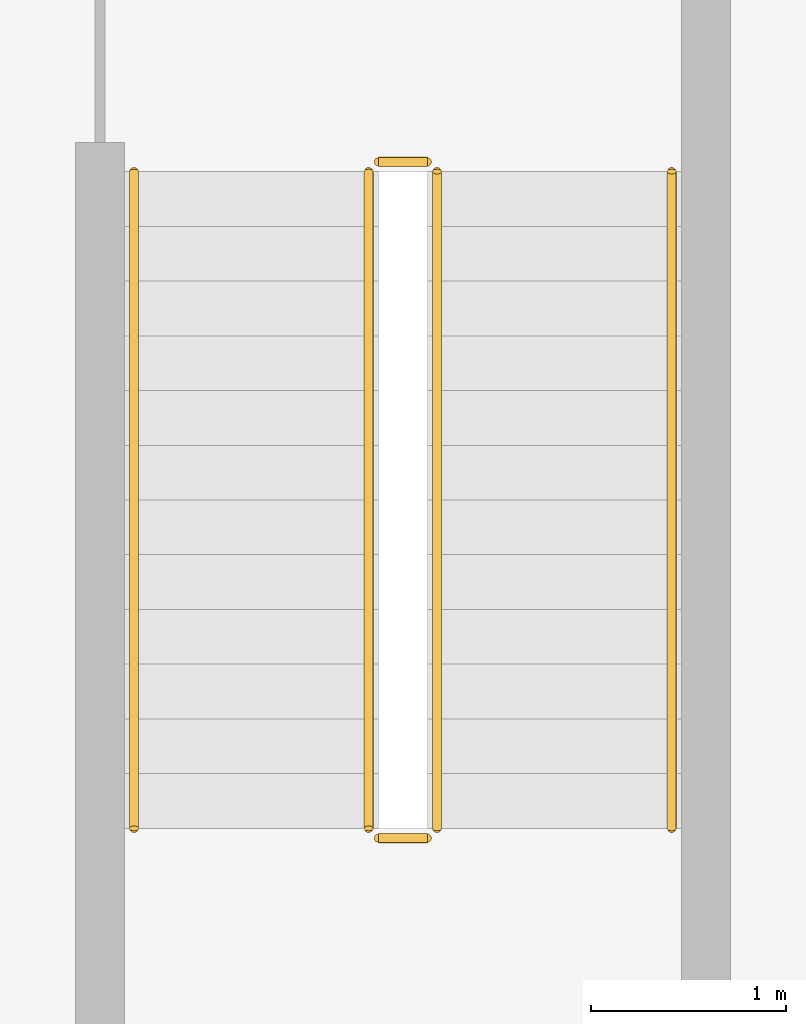
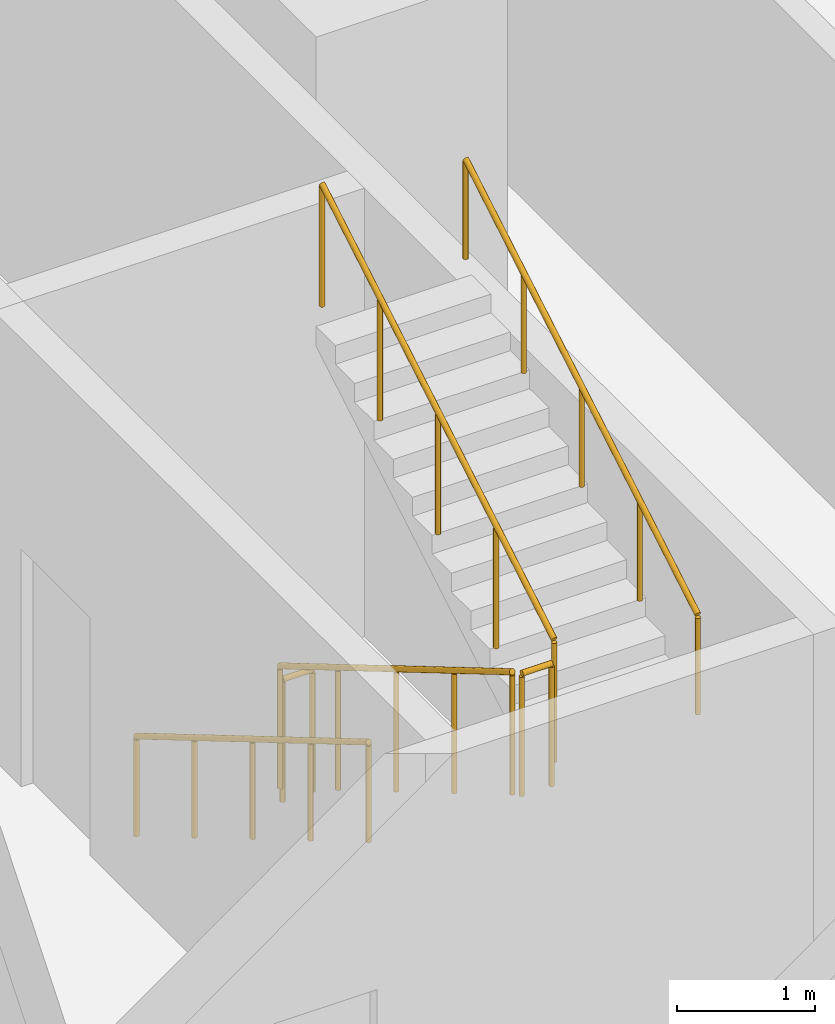
# One storey, part 24 of 29: 6 railings.
"""IFC4 building model written with IfcOpenShell, lengths in metres."""

from ifc_helpers import new_model, si_unit, direction, frame, origin, origin_2d, place, context, subcontext, project, spatial, circle, extrude, material, type_object, element, save


model = new_model("IFC4")

# Units and contexts
model_context = context("Model", 3, precision=1e-05, world=origin(), true_north=direction((0.0, 1.0)))
body_context = subcontext(model_context, "Body", "Model", "MODEL_VIEW")
ifc_project = project(units=[si_unit("LENGTHUNIT", "METRE"), si_unit("AREAUNIT", "SQUARE_METRE"), si_unit("VOLUMEUNIT", "CUBIC_METRE"), si_unit("PLANEANGLEUNIT", "RADIAN"), si_unit("MASSUNIT", "GRAM", prefix="KILO")], contexts=[model_context])

# Site, building, storey
site_placement = place(None, origin())
site = spatial("IfcSite", under=ifc_project, at=site_placement, CompositionType="ELEMENT")
building_placement = place(site_placement, origin())
building = spatial("IfcBuilding", under=site, at=building_placement, Name="Mahtab Terrace Research Tower", CompositionType="ELEMENT")
storey_placement = place(building_placement, frame((0.0, 0.0, 20.10009765625)))
storey = spatial("IfcBuildingStorey", under=building, at=storey_placement, Name="L04", CompositionType="ELEMENT", Elevation=20.10009765625)

# Railings
ifc_material = material(Name="Stainless steel AISI 304", Category="steel")
railing_type_1 = type_object("IfcRailingType", Name="Stair guard 1100", PredefinedType="GUARDRAIL", material=ifc_material)
railing_1_placement = place(storey_placement, frame((2.949951171875, -4.175048828125, 0.165283203125)))
element("IfcRailing", 1, at=railing_1_placement, inside=storey, type_object=railing_type_1, Name="L04 ST2 stair guard 1", PredefinedType="GUARDRAIL", context=body_context, shape_type="SweptSolid", body=[
    extrude(circle(Radius=0.02392578125, at=origin_2d()), frame((0.0, 0.0, 1.076171875), z_axis=(0.0, -0.861011212953, 0.508585972249), x_axis=(1.0, 0.0, 0.0)), (0.0, 0.0, 1.0), 3.90234375),
    extrude(circle(Radius=0.02099609375, at=origin_2d()), origin(), (0.0, 0.0, 1.0), 1.052001953125),
    extrude(circle(Radius=0.02099609375, at=origin_2d()), frame((0.0, -0.83984375, 0.49609375)), (0.0, 0.0, 1.0), 1.052001953125),
    extrude(circle(Radius=0.02099609375, at=origin_2d()), frame((0.0, -1.679931640625, 0.9921875)), (0.0, 0.0, 1.0), 1.052001953125),
    extrude(circle(Radius=0.02099609375, at=origin_2d()), frame((0.0, -2.52001953125, 1.488525390625)), (0.0, 0.0, 1.0), 1.052001953125),
    extrude(circle(Radius=0.02099609375, at=origin_2d()), frame((0.0, -3.35986328125, 1.984619140625)), (0.0, 0.0, 1.0), 1.052001953125),
])
railing_2_placement = place(storey_placement, frame((3.0, -7.5849609375, 2.14990234375)))
element("IfcRailing", 2, at=railing_2_placement, inside=storey, type_object=railing_type_1, Name="L04 ST2 stair guard 2", PredefinedType="GUARDRAIL", context=body_context, shape_type="SweptSolid", body=[
    extrude(circle(Radius=0.02392578125, at=origin_2d()), frame((0.0, 0.0, 1.076171875), z_axis=(1.0, 0.0, 0.0), x_axis=(0.0, 1.0, 0.0)), (0.0, 0.0, 1.0), 0.25),
    extrude(circle(Radius=0.02099609375, at=origin_2d()), origin(), (0.0, 0.0, 1.0), 1.052001953125),
    extrude(circle(Radius=0.02099609375, at=origin_2d()), frame((0.25, 0.0, 0.0)), (0.0, 0.0, 1.0), 1.052001953125),
])
railing_3_placement = place(storey_placement, frame((3.300048828125, -7.534912109375, 2.315185546875)))
element("IfcRailing", 3, at=railing_3_placement, inside=storey, type_object=railing_type_1, Name="L04 ST2 stair guard 3", PredefinedType="GUARDRAIL", context=body_context, shape_type="SweptSolid", body=[
    extrude(circle(Radius=0.02392578125, at=origin_2d()), frame((0.0, 0.0, 1.076171875), z_axis=(0.0, 0.861011212953, 0.508585972249), x_axis=(-1.0, 0.0, 0.0)), (0.0, 0.0, 1.0), 3.90234375),
    extrude(circle(Radius=0.02099609375, at=origin_2d()), origin(), (0.0, 0.0, 1.0), 1.052001953125),
    extrude(circle(Radius=0.02099609375, at=origin_2d()), frame((0.0, 0.83984375, 0.49609375)), (0.0, 0.0, 1.0), 1.052001953125),
    extrude(circle(Radius=0.02099609375, at=origin_2d()), frame((0.0, 1.679931640625, 0.9921875)), (0.0, 0.0, 1.0), 1.052001953125),
    extrude(circle(Radius=0.02099609375, at=origin_2d()), frame((0.0, 2.52001953125, 1.488525390625)), (0.0, 0.0, 1.0), 1.052001953125),
    extrude(circle(Radius=0.02099609375, at=origin_2d()), frame((0.0, 3.35986328125, 1.984619140625)), (0.0, 0.0, 1.0), 1.052001953125),
])
railing_4_placement = place(storey_placement, frame((3.0, -4.125, 0.0)))
element("IfcRailing", 4, at=railing_4_placement, inside=storey, type_object=railing_type_1, Name="L04 ST2 stair guard 4", PredefinedType="GUARDRAIL", context=body_context, shape_type="SweptSolid", body=[
    extrude(circle(Radius=0.02392578125, at=origin_2d()), frame((0.0, 0.0, 1.076171875), z_axis=(1.0, 0.0, 0.0), x_axis=(0.0, 1.0, 0.0)), (0.0, 0.0, 1.0), 0.25),
    extrude(circle(Radius=0.02099609375, at=origin_2d()), origin(), (0.0, 0.0, 1.0), 1.052001953125),
    extrude(circle(Radius=0.02099609375, at=origin_2d()), frame((0.25, 0.0, 0.0)), (0.0, 0.0, 1.0), 1.052001953125),
])
railing_type_2 = type_object("IfcRailingType", Name="Stair handrail 900", PredefinedType="HANDRAIL", material=ifc_material)
railing_5_placement = place(storey_placement, frame((1.75, -4.175048828125, 0.165283203125)))
element("IfcRailing", 5, at=railing_5_placement, inside=storey, type_object=railing_type_2, Name="L04 ST2 stair handrail 1", PredefinedType="HANDRAIL", context=body_context, shape_type="SweptSolid", body=[
    extrude(circle(Radius=0.02392578125, at=origin_2d()), frame((0.0, 0.0, 0.8759765625), z_axis=(0.0, -0.861011212953, 0.508585972249), x_axis=(1.0, 0.0, 0.0)), (0.0, 0.0, 1.0), 3.90234375),
    extrude(circle(Radius=0.02099609375, at=origin_2d()), origin(), (0.0, 0.0, 1.0), 0.851806640625),
    extrude(circle(Radius=0.02099609375, at=origin_2d()), frame((0.0, -0.83984375, 0.49609375)), (0.0, 0.0, 1.0), 0.851806640625),
    extrude(circle(Radius=0.02099609375, at=origin_2d()), frame((0.0, -1.679931640625, 0.9921875)), (0.0, 0.0, 1.0), 0.851806640625),
    extrude(circle(Radius=0.02099609375, at=origin_2d()), frame((0.0, -2.52001953125, 1.488525390625)), (0.0, 0.0, 1.0), 0.851806640625),
    extrude(circle(Radius=0.02099609375, at=origin_2d()), frame((0.0, -3.35986328125, 1.984619140625)), (0.0, 0.0, 1.0), 0.851806640625),
])
railing_6_placement = place(storey_placement, frame((4.5, -7.534912109375, 2.315185546875)))
element("IfcRailing", 6, at=railing_6_placement, inside=storey, type_object=railing_type_2, Name="L04 ST2 stair handrail 2", PredefinedType="HANDRAIL", context=body_context, shape_type="SweptSolid", body=[
    extrude(circle(Radius=0.02392578125, at=origin_2d()), frame((0.0, 0.0, 0.8759765625), z_axis=(0.0, 0.861011212953, 0.508585972249), x_axis=(-1.0, 0.0, 0.0)), (0.0, 0.0, 1.0), 3.90234375),
    extrude(circle(Radius=0.02099609375, at=origin_2d()), origin(), (0.0, 0.0, 1.0), 0.851806640625),
    extrude(circle(Radius=0.02099609375, at=origin_2d()), frame((0.0, 0.83984375, 0.49609375)), (0.0, 0.0, 1.0), 0.851806640625),
    extrude(circle(Radius=0.02099609375, at=origin_2d()), frame((0.0, 1.679931640625, 0.9921875)), (0.0, 0.0, 1.0), 0.851806640625),
    extrude(circle(Radius=0.02099609375, at=origin_2d()), frame((0.0, 2.52001953125, 1.488525390625)), (0.0, 0.0, 1.0), 0.851806640625),
    extrude(circle(Radius=0.02099609375, at=origin_2d()), frame((0.0, 3.35986328125, 1.984619140625)), (0.0, 0.0, 1.0), 0.851806640625),
])

save(model, "model.ifc")
